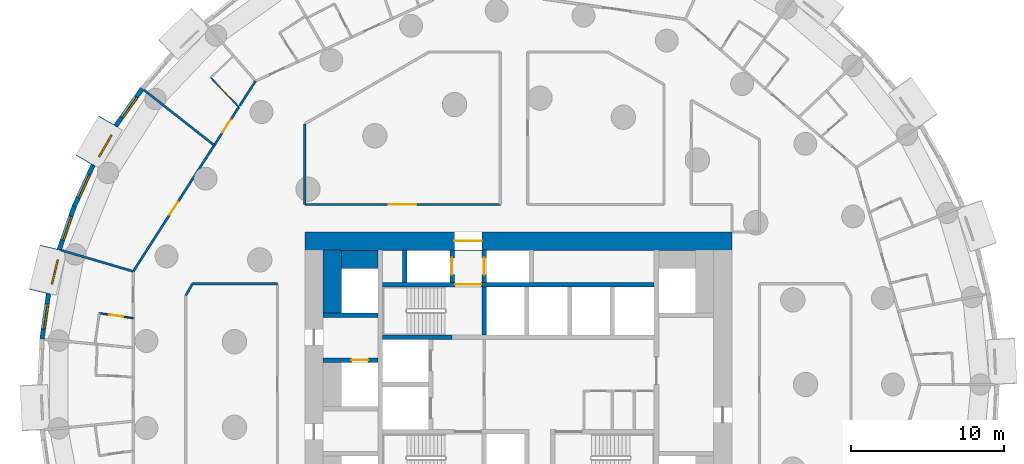
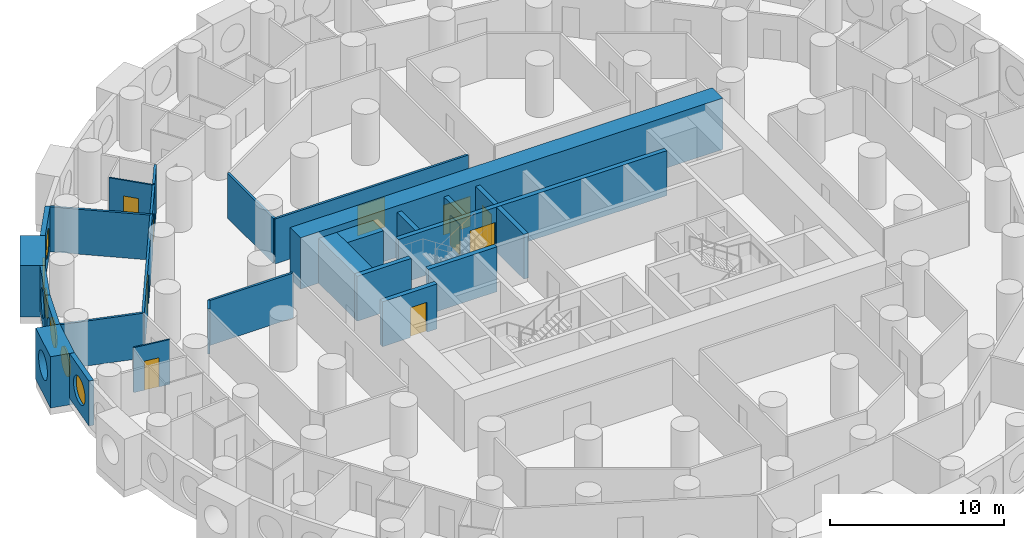
# One storey, part 7 of 12: 27 walls, 10 doors, 6 windows, 16 openings.
"""IFC4 building model written with IfcOpenShell, lengths in metres."""

from ifc_helpers import new_model, si_unit, direction, frame, frame_2d, origin, origin_2d, place, context, subcontext, project, spatial, rectangle, circle, extrude, material, layer, layer_set, type_object, element, fill, save


model = new_model("IFC4")

# Units and contexts
model_context = context("Model", 3, precision=1e-05, world=origin(), true_north=direction((0.0, 1.0)))
body_context = subcontext(model_context, "Body", "Model", "MODEL_VIEW")
ifc_project = project(units=[si_unit("LENGTHUNIT", "METRE"), si_unit("AREAUNIT", "SQUARE_METRE"), si_unit("VOLUMEUNIT", "CUBIC_METRE"), si_unit("PLANEANGLEUNIT", "RADIAN"), si_unit("MASSUNIT", "GRAM", prefix="KILO")], contexts=[model_context])

# Site, building, storey
site_placement = place(None, origin())
site = spatial("IfcSite", under=ifc_project, at=site_placement, CompositionType="ELEMENT")
building_placement = place(site_placement, origin())
building = spatial("IfcBuilding", under=site, at=building_placement, Name="Tracery Tower", CompositionType="ELEMENT")
storey_placement = place(building_placement, frame((0.0, 0.0, 28.199951171875)))
storey = spatial("IfcBuildingStorey", under=building, at=storey_placement, Name="L05", CompositionType="ELEMENT", Elevation=28.199951171875)

# Walls
ifc_material_1 = material(Name="Concrete C60/75", Category="concrete")
ifc_layer_1 = layer(ifc_material_1, 1.199951171875)
ifc_layer_set_1 = layer_set([ifc_layer_1], Name="Core strip wall 1200 C60")
wall_type_1 = type_object("IfcWallType", Name="Core strip wall 1200 C60", PredefinedType="SOLIDWALL", material=ifc_layer_set_1)
wall_1_placement = place(storey_placement, frame((-12.199951171875, 4.699951171875, 0.0), z_axis=(0.0, 0.0, 1.0), x_axis=(0.0, 1.0, 0.0)))
element("IfcWall", 1, at=wall_1_placement, inside=storey, type_object=wall_type_1, Name="L05 wing strip -1 4.55", PredefinedType="SOLIDWALL", context=body_context, shape_type="SweptSolid", body=[
    extrude(rectangle(XDim=4.10009765625, YDim=1.199951171875, at=frame_2d((2.050048828125, 0.0))), origin(), (0.0, 0.0, 1.0), 3.150146484375),
])
wall_2_placement = place(storey_placement, frame((-11.60009765625, 8.199951171875, 0.0), z_axis=(0.0, 0.0, 1.0), x_axis=(1.0, 0.0, 0.0)))
element("IfcWall", 2, at=wall_2_placement, inside=storey, type_object=wall_type_1, Name="L05 wing corner -1 +8.2", PredefinedType="SOLIDWALL", context=body_context, shape_type="SweptSolid", body=[
    extrude(rectangle(XDim=2.400146484375, YDim=1.199951171875, at=frame_2d((1.2001953125, 0.0))), origin(), (0.0, 0.0, 1.0), 3.150146484375),
])

# Wall, opening, door
ifc_material_2 = material(Name="Concrete C60/75", Category="concrete")
ifc_layer_2 = layer(ifc_material_2, 1.199951171875)
ifc_layer_set_2 = layer_set([ifc_layer_2], Name="Core wall 1200 C60")
wall_type_2 = type_object("IfcWallType", Name="Core wall 1200 C60", PredefinedType="SOLIDWALL", material=ifc_layer_set_2)
wall_3_placement = place(storey_placement, frame((-14.0, 9.39990234375, 0.0), z_axis=(0.0, 0.0, 1.0), x_axis=(1.0, 0.0, 0.0)))
wall_3 = element("IfcWall", 3, at=wall_3_placement, inside=storey, type_object=wall_type_2, Name="L05 outer N", PredefinedType="SOLIDWALL", context=body_context, shape_type="SweptSolid", body=[
    extrude(rectangle(XDim=28.0, YDim=1.199951171875, at=frame_2d((14.0, 0.0))), origin(), (0.0, 0.0, 1.0), 3.60009765625),
])
opening_1_placement = place(wall_3_placement, frame((9.800048828125, 0.0, 0.0)))
opening_1 = element("IfcOpeningElement", 4, at=opening_1_placement, cuts=wall_3, Name="Opening KD13", PredefinedType="OPENING", context=body_context, shape_type="SweptSolid", body=[
    extrude(rectangle(XDim=1.800048828125, YDim=2.10009765625, at=frame_2d((0.89990234375, 1.050048828125))), frame((0.0, 0.60009765625, 0.0), z_axis=(0.0, -1.0, 0.0), x_axis=(1.0, 0.0, 0.0)), (0.0, 0.0, 1.0), 1.199951171875),
])
ifc_material_3 = material(Name="Steel fire door", Category="steel")
door_type_1 = type_object("IfcDoorType", Name="Core exit door 1800 double", OperationType="NOTDEFINED", PredefinedType="DOOR", material=ifc_material_3)
door_1_placement = place(opening_1_placement, origin())
door_1 = element("IfcDoor", 5, at=door_1_placement, inside=storey, type_object=door_type_1, Name="Core exit door", OperationType="DOUBLE_DOOR_SINGLE_SWING", OverallHeight=2.10009765625, OverallWidth=1.800048828125, PredefinedType="DOOR", context=body_context, shape_type="SweptSolid", body=[
    extrude(rectangle(XDim=1.800048828125, YDim=2.10009765625, at=frame_2d((0.89990234375, 1.050048828125))), frame((0.0, 0.02490234375, 0.0), z_axis=(0.0, -1.0, 0.0), x_axis=(1.0, 0.0, 0.0)), (0.0, 0.0, 1.0), 0.050048828125),
])
fill(opening_1, door_1)

# Wall, opening, window
ifc_material_4 = material(Name="Precast concrete C50/60", Category="concrete")
ifc_layer_3 = layer(ifc_material_4, 1.449951171875)
ifc_layer_set_3 = layer_set([ifc_layer_3], Name="Deep-set bay unit 3000 x 3600, slab edge 450")
wall_type_3 = type_object("IfcWallType", Name="Deep-set bay unit 3000 x 3600, slab edge 450", PredefinedType="ELEMENTEDWALL", material=ifc_layer_set_3)
wall_4_placement = place(storey_placement, frame((-26.88818359375, 17.256103515625, -0.449951171875), z_axis=(0.0, 0.0, 1.0), x_axis=(-0.499990139034, -0.866031096941, 0.0)))
wall_4 = element("IfcWall", 6, at=wall_4_placement, inside=storey, type_object=wall_type_3, Name="Deep-set bay unit 28 at L05", PredefinedType="ELEMENTEDWALL", context=body_context, shape_type="SweptSolid", body=[
    extrude(rectangle(XDim=3.0, YDim=1.449951171875, at=frame_2d((1.5, 0.0))), origin(), (0.0, 0.0, 1.0), 3.60009765625),
])
opening_2_placement = place(wall_4_placement, frame((1.5, 0.0, 2.0)))
opening_2 = element("IfcOpeningElement", 7, at=opening_2_placement, cuts=wall_4, Name="Opening WN1", PredefinedType="OPENING", context=body_context, shape_type="SweptSolid", body=[
    extrude(circle(Radius=0.9000244140625, at=origin_2d()), frame((0.0, 0.73486328125, 0.0), z_axis=(0.0, -1.0, 0.0), x_axis=(1.0, 0.0, 0.0)), (0.0, 0.0, 1.0), 1.469970703125),
])
ifc_material_5 = material(Name="Aluminium frame with tinted double glazing", Category="aluminium")
window_type = type_object("IfcWindowType", Name="Round window 1800", PartitioningType="SINGLE_PANEL", PredefinedType="WINDOW", material=ifc_material_5)
window_1_placement = place(opening_2_placement, origin())
window_1 = element("IfcWindow", 8, at=window_1_placement, inside=storey, type_object=window_type, Name="Round window 28 at L05", OverallHeight=1.800048828125, OverallWidth=1.800048828125, PartitioningType="SINGLE_PANEL", PredefinedType="WINDOW", context=body_context, shape_type="SweptSolid", body=[
    extrude(circle(Radius=0.9000244140625, at=origin_2d()), frame((0.0, 0.69482421875, 0.0), z_axis=(0.0, -1.0, 0.0), x_axis=(1.0, 0.0, 0.0)), (0.0, 0.0, 1.0), 0.10009765625),
])
fill(opening_2, window_1)

wall_5_placement = place(storey_placement, frame((-30.66064453125, 8.981689453125, -0.449951171875), z_axis=(0.0, 0.0, 1.0), x_axis=(-0.235751415068, -0.971813392732, 0.0)))
wall_5 = element("IfcWall", 9, at=wall_5_placement, inside=storey, type_object=wall_type_3, Name="Deep-set bay unit 31 at L05", PredefinedType="ELEMENTEDWALL", context=body_context, shape_type="SweptSolid", body=[
    extrude(rectangle(XDim=3.0, YDim=1.449951171875, at=frame_2d((1.5, 0.0))), origin(), (0.0, 0.0, 1.0), 3.60009765625),
])
opening_3_placement = place(wall_5_placement, frame((1.5, 0.0, 2.0)))
opening_3 = element("IfcOpeningElement", 10, at=opening_3_placement, cuts=wall_5, Name="Opening WN1", PredefinedType="OPENING", context=body_context, shape_type="SweptSolid", body=[
    extrude(circle(Radius=0.9000244140625, at=origin_2d()), frame((0.0, 0.73486328125, 0.0), z_axis=(0.0, -1.0, 0.0), x_axis=(1.0, 0.0, 0.0)), (0.0, 0.0, 1.0), 1.469970703125),
])
window_2_placement = place(opening_3_placement, origin())
window_2 = element("IfcWindow", 11, at=window_2_placement, inside=storey, type_object=window_type, Name="Round window 31 at L05", OverallHeight=1.800048828125, OverallWidth=1.800048828125, PartitioningType="SINGLE_PANEL", PredefinedType="WINDOW", context=body_context, shape_type="SweptSolid", body=[
    extrude(circle(Radius=0.9000244140625, at=origin_2d()), frame((0.0, 0.69482421875, 0.0), z_axis=(0.0, -1.0, 0.0), x_axis=(1.0, 0.0, 0.0)), (0.0, 0.0, 1.0), 0.10009765625),
])
fill(opening_3, window_2)

ifc_material_6 = material(Name="Precast concrete C50/60", Category="concrete")
ifc_layer_4 = layer(ifc_material_6, 0.300048828125)
ifc_layer_set_4 = layer_set([ifc_layer_4], Name="Facade panel 3000 x 3150")
wall_type_4 = type_object("IfcWallType", Name="Facade panel 3000 x 3150", PredefinedType="SOLIDWALL", material=ifc_layer_set_4)
wall_6_placement = place(storey_placement, frame((-24.661865234375, 19.394287109375, 0.0), z_axis=(0.0, 0.0, 1.0), x_axis=(-0.580113774115, -0.814535456, 0.0)))
wall_6 = element("IfcWall", 12, at=wall_6_placement, inside=storey, type_object=wall_type_4, Name="Facade panel 27 at L05", PredefinedType="SOLIDWALL", context=body_context, shape_type="SweptSolid", body=[
    extrude(rectangle(XDim=2.979736328125, YDim=0.300048828125, at=frame_2d((1.48974609375, 0.0))), origin(), (0.0, 0.0, 1.0), 3.150146484375),
])
opening_4_placement = place(wall_6_placement, frame((1.48974609375, 0.0, 1.5498046875)))
opening_4 = element("IfcOpeningElement", 13, at=opening_4_placement, cuts=wall_6, Name="Opening WN1", PredefinedType="OPENING", context=body_context, shape_type="SweptSolid", body=[
    extrude(circle(Radius=0.9000244140625, at=origin_2d()), frame((0.0, 0.159912109375, 0.0), z_axis=(0.0, -1.0, 0.0), x_axis=(1.0, 0.0, 0.0)), (0.0, 0.0, 1.0), 0.320068359375),
])
window_3_placement = place(opening_4_placement, origin())
window_3 = element("IfcWindow", 14, at=window_3_placement, inside=storey, type_object=window_type, Name="Round window 27 at L05", OverallHeight=1.800048828125, OverallWidth=1.800048828125, PartitioningType="SINGLE_PANEL", PredefinedType="WINDOW", context=body_context, shape_type="SweptSolid", body=[
    extrude(circle(Radius=0.9000244140625, at=origin_2d()), frame((0.0, 0.1201171875, 0.0), z_axis=(0.0, -1.0, 0.0), x_axis=(1.0, 0.0, 0.0)), (0.0, 0.0, 1.0), 0.10009765625),
])
fill(opening_4, window_3)

wall_7_placement = place(storey_placement, frame((-27.88916015625, 14.37109375, 0.0), z_axis=(0.0, 0.0, 1.0), x_axis=(-0.415407317162, -0.909635509888, 0.0)))
wall_7 = element("IfcWall", 15, at=wall_7_placement, inside=storey, type_object=wall_type_4, Name="Facade panel 29 at L05", PredefinedType="SOLIDWALL", context=body_context, shape_type="SweptSolid", body=[
    extrude(rectangle(XDim=2.979736328125, YDim=0.300048828125, at=frame_2d((1.48974609375, 0.0))), origin(), (0.0, 0.0, 1.0), 3.150146484375),
])
opening_5_placement = place(wall_7_placement, frame((1.48974609375, 0.0, 1.5498046875)))
opening_5 = element("IfcOpeningElement", 16, at=opening_5_placement, cuts=wall_7, Name="Opening WN1", PredefinedType="OPENING", context=body_context, shape_type="SweptSolid", body=[
    extrude(circle(Radius=0.9000244140625, at=origin_2d()), frame((0.0, 0.159912109375, 0.0), z_axis=(0.0, -1.0, 0.0), x_axis=(1.0, 0.0, 0.0)), (0.0, 0.0, 1.0), 0.320068359375),
])
window_4_placement = place(opening_5_placement, origin())
window_4 = element("IfcWindow", 17, at=window_4_placement, inside=storey, type_object=window_type, Name="Round window 29 at L05", OverallHeight=1.800048828125, OverallWidth=1.800048828125, PartitioningType="SINGLE_PANEL", PredefinedType="WINDOW", context=body_context, shape_type="SweptSolid", body=[
    extrude(circle(Radius=0.9000244140625, at=origin_2d()), frame((0.0, 0.1201171875, 0.0), z_axis=(0.0, -1.0, 0.0), x_axis=(1.0, 0.0, 0.0)), (0.0, 0.0, 1.0), 0.10009765625),
])
fill(opening_5, window_4)

wall_8_placement = place(storey_placement, frame((-29.126953125, 11.66064453125, 0.0), z_axis=(0.0, 0.0, 1.0), x_axis=(-0.327096492592, -0.944990944154, 0.0)))
wall_8 = element("IfcWall", 18, at=wall_8_placement, inside=storey, type_object=wall_type_4, Name="Facade panel 30 at L05", PredefinedType="SOLIDWALL", context=body_context, shape_type="SweptSolid", body=[
    extrude(rectangle(XDim=2.9794921875, YDim=0.300048828125, at=frame_2d((1.48974609375, 0.0))), origin(), (0.0, 0.0, 1.0), 3.150146484375),
])
opening_6_placement = place(wall_8_placement, frame((1.48974609375, 0.0, 1.5498046875)))
opening_6 = element("IfcOpeningElement", 19, at=opening_6_placement, cuts=wall_8, Name="Opening WN1", PredefinedType="OPENING", context=body_context, shape_type="SweptSolid", body=[
    extrude(circle(Radius=0.9000244140625, at=origin_2d()), frame((0.0, 0.159912109375, 0.0), z_axis=(0.0, -1.0, 0.0), x_axis=(1.0, 0.0, 0.0)), (0.0, 0.0, 1.0), 0.320068359375),
])
window_5_placement = place(opening_6_placement, origin())
window_5 = element("IfcWindow", 20, at=window_5_placement, inside=storey, type_object=window_type, Name="Round window 30 at L05", OverallHeight=1.800048828125, OverallWidth=1.800048828125, PartitioningType="SINGLE_PANEL", PredefinedType="WINDOW", context=body_context, shape_type="SweptSolid", body=[
    extrude(circle(Radius=0.9000244140625, at=origin_2d()), frame((0.0, 0.1201171875, 0.0), z_axis=(0.0, -1.0, 0.0), x_axis=(1.0, 0.0, 0.0)), (0.0, 0.0, 1.0), 0.10009765625),
])
fill(opening_6, window_5)

wall_9_placement = place(storey_placement, frame((-30.808349609375, 5.931640625, 0.0), z_axis=(0.0, 0.0, 1.0), x_axis=(-0.142327539111, -0.989819615693, 0.0)))
wall_9 = element("IfcWall", 21, at=wall_9_placement, inside=storey, type_object=wall_type_4, Name="Facade panel 32 at L05", PredefinedType="SOLIDWALL", context=body_context, shape_type="SweptSolid", body=[
    extrude(rectangle(XDim=2.9794921875, YDim=0.300048828125, at=frame_2d((1.48974609375, 0.0))), origin(), (0.0, 0.0, 1.0), 3.150146484375),
])
opening_7_placement = place(wall_9_placement, frame((1.48974609375, 0.0, 1.5498046875)))
opening_7 = element("IfcOpeningElement", 22, at=opening_7_placement, cuts=wall_9, Name="Opening WN1", PredefinedType="OPENING", context=body_context, shape_type="SweptSolid", body=[
    extrude(circle(Radius=0.9000244140625, at=origin_2d()), frame((0.0, 0.159912109375, 0.0), z_axis=(0.0, -1.0, 0.0), x_axis=(1.0, 0.0, 0.0)), (0.0, 0.0, 1.0), 0.320068359375),
])
window_6_placement = place(opening_7_placement, origin())
window_6 = element("IfcWindow", 23, at=window_6_placement, inside=storey, type_object=window_type, Name="Round window 32 at L05", OverallHeight=1.800048828125, OverallWidth=1.800048828125, PartitioningType="SINGLE_PANEL", PredefinedType="WINDOW", context=body_context, shape_type="SweptSolid", body=[
    extrude(circle(Radius=0.9000244140625, at=origin_2d()), frame((0.0, 0.1201171875, 0.0), z_axis=(0.0, -1.0, 0.0), x_axis=(1.0, 0.0, 0.0)), (0.0, 0.0, 1.0), 0.10009765625),
])
fill(opening_7, window_6)

# Wall, opening, door
ifc_material_7 = material(Name="Plasterboard on steel studs", Category="steel")
ifc_layer_5 = layer(ifc_material_7, 0.10009765625)
ifc_layer_set_5 = layer_set([ifc_layer_5], Name="Partition 100 wet wall")
wall_type_5 = type_object("IfcWallType", Name="Partition 100 wet wall", PredefinedType="PARTITIONING", material=ifc_layer_set_5)
wall_10_placement = place(storey_placement, frame((-20.1689453125, 20.117919921875, 0.0), z_axis=(0.0, 0.0, 1.0), x_axis=(0.690011756227, -0.723798159896, 0.0)))
wall_10 = element("IfcWall", 24, at=wall_10_placement, inside=storey, type_object=wall_type_5, Name="Wet wall RA1-091", PredefinedType="PARTITIONING", context=body_context, shape_type="SweptSolid", body=[
    extrude(rectangle(XDim=2.66650390625, YDim=0.10009765625, at=frame_2d((1.333251953125, 0.0))), origin(), (0.0, 0.0, 1.0), 3.150146484375),
])
opening_8_placement = place(wall_10_placement, frame((0.883056640625, 0.0, 0.0)))
opening_8 = element("IfcOpeningElement", 25, at=opening_8_placement, cuts=wall_10, Name="Opening RA1-30", PredefinedType="OPENING", context=body_context, shape_type="SweptSolid", body=[
    extrude(rectangle(XDim=0.89990234375, YDim=2.0400390625, at=frame_2d((0.449951171875, 1.02001953125))), frame((0.0, 0.050048828125, 0.0), z_axis=(0.0, -1.0, 0.0), x_axis=(1.0, 0.0, 0.0)), (0.0, 0.0, 1.0), 0.10009765625),
])
ifc_material_8 = material(Name="Timber door leaf", Category="wood")
door_type_2 = type_object("IfcDoorType", Name="Door en-suite 900", OperationType="NOTDEFINED", PredefinedType="DOOR", material=ifc_material_8)
door_2_placement = place(opening_8_placement, origin())
door_2 = element("IfcDoor", 26, at=door_2_placement, inside=storey, type_object=door_type_2, Name="En-suite door RA1-30", OperationType="SINGLE_SWING_LEFT", OverallHeight=2.0400390625, OverallWidth=0.89990234375, PredefinedType="DOOR", context=body_context, shape_type="SweptSolid", body=[
    extrude(rectangle(XDim=0.89990234375, YDim=2.0400390625, at=frame_2d((0.449951171875, 1.02001953125))), frame((0.0, 0.02490234375, 0.0), z_axis=(0.0, -1.0, 0.0), x_axis=(1.0, 0.0, 0.0)), (0.0, 0.0, 1.0), 0.050048828125),
])
fill(opening_8, door_2)

wall_11_placement = place(storey_placement, frame((-27.471923828125, 4.6708984375, 0.0), z_axis=(0.0, 0.0, 1.0), x_axis=(0.989833725002, -0.142229381104, 0.0)))
wall_11 = element("IfcWall", 27, at=wall_11_placement, inside=storey, type_object=wall_type_5, Name="Wet wall RA1-094", PredefinedType="PARTITIONING", context=body_context, shape_type="SweptSolid", body=[
    extrude(rectangle(XDim=2.24169921875, YDim=0.10009765625, at=frame_2d((1.120849609375, 0.0))), origin(), (0.0, 0.0, 1.0), 3.150146484375),
])
opening_9_placement = place(wall_11_placement, frame((0.6708984375, 0.0, 0.0)))
opening_9 = element("IfcOpeningElement", 28, at=opening_9_placement, cuts=wall_11, Name="Opening RA1-33", PredefinedType="OPENING", context=body_context, shape_type="SweptSolid", body=[
    extrude(rectangle(XDim=0.89990234375, YDim=2.0400390625, at=frame_2d((0.449951171875, 1.02001953125))), frame((0.0, 0.050048828125, 0.0), z_axis=(0.0, -1.0, 0.0), x_axis=(1.0, 0.0, 0.0)), (0.0, 0.0, 1.0), 0.10009765625),
])
door_3_placement = place(opening_9_placement, origin())
door_3 = element("IfcDoor", 29, at=door_3_placement, inside=storey, type_object=door_type_2, Name="En-suite door RA1-33", OperationType="SINGLE_SWING_RIGHT", OverallHeight=2.0400390625, OverallWidth=0.89990234375, PredefinedType="DOOR", context=body_context, shape_type="SweptSolid", body=[
    extrude(rectangle(XDim=0.89990234375, YDim=2.0400390625, at=frame_2d((0.449951171875, 1.02001953125))), frame((0.0, 0.02490234375, 0.0), z_axis=(0.0, -1.0, 0.0), x_axis=(1.0, 0.0, 0.0)), (0.0, 0.0, 1.0), 0.050048828125),
])
fill(opening_9, door_3)

# Walls
ifc_material_9 = material(Name="Plasterboard on steel studs", Category="steel")
ifc_layer_6 = layer(ifc_material_9, 0.14990234375)
ifc_layer_set_6 = layer_set([ifc_layer_6], Name="Partition 150 acoustic unit wall")
wall_type_6 = type_object("IfcWallType", Name="Partition 150 acoustic unit wall", PredefinedType="PARTITIONING", material=ifc_layer_set_6)
wall_12_placement = place(storey_placement, frame((-24.5439453125, 19.302001953125, 0.0), z_axis=(0.0, 0.0, 1.0), x_axis=(0.786014513829, -0.618208042693, 0.0)))
element("IfcWall", 30, at=wall_12_placement, inside=storey, type_object=wall_type_6, Name="Unit wall RA1-092", PredefinedType="PARTITIONING", context=body_context, shape_type="SweptSolid", body=[
    extrude(rectangle(XDim=5.857421875, YDim=0.14990234375, at=frame_2d((2.9287109375, 0.0))), origin(), (0.0, 0.0, 1.0), 3.150146484375),
])
wall_13_placement = place(storey_placement, frame((-29.958984375, 8.797119140625, 0.0), z_axis=(0.0, 0.0, 1.0), x_axis=(0.959478767209, -0.281780934902, 0.0)))
element("IfcWall", 31, at=wall_13_placement, inside=storey, type_object=wall_type_6, Name="Unit wall RA1-093", PredefinedType="PARTITIONING", context=body_context, shape_type="SweptSolid", body=[
    extrude(rectangle(XDim=4.90478515625, YDim=0.14990234375, at=frame_2d((2.452392578125, 0.0))), origin(), (0.0, 0.0, 1.0), 3.150146484375),
])

# Wall, opening, door
ifc_material_10 = material(Name="Plasterboard on steel studs", Category="steel")
ifc_layer_7 = layer(ifc_material_10, 0.14990234375)
ifc_layer_set_7 = layer_set([ifc_layer_7], Name="Partition 150 corridor wall")
wall_type_7 = type_object("IfcWallType", Name="Partition 150 corridor wall", PredefinedType="PARTITIONING", material=ifc_layer_set_7)
wall_14_placement = place(storey_placement, frame((-14.00390625, 11.800048828125, 0.0), z_axis=(0.0, 0.0, 1.0), x_axis=(1.0, 0.0, 0.0)))
wall_14 = element("IfcWall", 32, at=wall_14_placement, inside=storey, type_object=wall_type_7, Name="Corridor wall RA1-001", PredefinedType="PARTITIONING", context=body_context, shape_type="SweptSolid", body=[
    extrude(rectangle(XDim=12.81591796875, YDim=0.14990234375, at=frame_2d((6.407958984375, 0.0))), origin(), (0.0, 0.0, 1.0), 3.150146484375),
])
opening_10_placement = place(wall_14_placement, frame((5.508056640625, 0.0, 0.0)))
opening_10 = element("IfcOpeningElement", 33, at=opening_10_placement, cuts=wall_14, Name="Opening RA1-01", PredefinedType="OPENING", context=body_context, shape_type="SweptSolid", body=[
    extrude(rectangle(XDim=1.800048828125, YDim=2.10009765625, at=frame_2d((0.89990234375, 1.050048828125))), frame((0.0, 0.074951171875, 0.0), z_axis=(0.0, -1.0, 0.0), x_axis=(1.0, 0.0, 0.0)), (0.0, 0.0, 1.0), 0.14990234375),
])
ifc_material_11 = material(Name="Timber door leaf", Category="wood")
door_type_3 = type_object("IfcDoorType", Name="Door double lounge 1800", OperationType="NOTDEFINED", PredefinedType="DOOR", material=ifc_material_11)
door_4_placement = place(opening_10_placement, origin())
door_4 = element("IfcDoor", 34, at=door_4_placement, inside=storey, type_object=door_type_3, Name="Double lounge door RA1-01", OperationType="DOUBLE_DOOR_SINGLE_SWING", OverallHeight=2.10009765625, OverallWidth=1.800048828125, PredefinedType="DOOR", context=body_context, shape_type="SweptSolid", body=[
    extrude(rectangle(XDim=1.800048828125, YDim=2.10009765625, at=frame_2d((0.89990234375, 1.050048828125))), frame((0.0, 0.02490234375, 0.0), z_axis=(0.0, -1.0, 0.0), x_axis=(1.0, 0.0, 0.0)), (0.0, 0.0, 1.0), 0.050048828125),
])
fill(opening_10, door_4)

# Walls
wall_15_placement = place(storey_placement, frame((-14.0, 11.800048828125, 0.0), z_axis=(0.0, 0.0, 1.0), x_axis=(0.0, 1.0, 0.0)))
element("IfcWall", 35, at=wall_15_placement, inside=storey, type_object=wall_type_7, Name="Corridor wall RA1-027", PredefinedType="PARTITIONING", context=body_context, shape_type="SweptSolid", body=[
    extrude(rectangle(XDim=5.2919921875, YDim=0.14990234375, at=frame_2d((2.64599609375, 0.0))), origin(), (0.0, 0.0, 1.0), 3.150146484375),
])
wall_16_placement = place(storey_placement, frame((-18.27392578125, 18.27392578125, 0.0), z_axis=(0.0, 0.0, 1.0), x_axis=(0.540751168176, 0.841182604502, 0.0)))
element("IfcWall", 36, at=wall_16_placement, inside=storey, type_object=wall_type_7, Name="Corridor wall RA1-036", PredefinedType="PARTITIONING", context=body_context, shape_type="SweptSolid", body=[
    extrude(rectangle(XDim=1.921142578125, YDim=0.14990234375, at=frame_2d((0.96044921875, 0.0))), origin(), (0.0, 0.0, 1.0), 3.150146484375),
])
wall_17_placement = place(storey_placement, frame((-21.364013671875, 6.60009765625, 0.0), z_axis=(0.0, 0.0, 1.0), x_axis=(1.0, 0.0, 0.0)))
element("IfcWall", 37, at=wall_17_placement, inside=storey, type_object=wall_type_7, Name="Corridor wall RA1-038", PredefinedType="PARTITIONING", context=body_context, shape_type="SweptSolid", body=[
    extrude(rectangle(XDim=5.56396484375, YDim=0.14990234375, at=frame_2d((2.781982421875, 0.0))), origin(), (0.0, 0.0, 1.0), 3.150146484375),
])
wall_18_placement = place(storey_placement, frame((-21.802001953125, 5.842041015625, 0.0), z_axis=(0.0, 0.0, 1.0), x_axis=(0.500277597875, 0.865865073245, 0.0)))
element("IfcWall", 38, at=wall_18_placement, inside=storey, type_object=wall_type_7, Name="Corridor wall RA1-039", PredefinedType="PARTITIONING", context=body_context, shape_type="SweptSolid", body=[
    extrude(rectangle(XDim=0.87548828125, YDim=0.14990234375, at=frame_2d((0.437744140625, 0.0))), origin(), (0.0, 0.0, 1.0), 3.150146484375),
])

# Wall, openings, doors
wall_19_placement = place(storey_placement, frame((-25.2509765625, 7.413818359375, 0.0), z_axis=(0.0, 0.0, 1.0), x_axis=(0.540498462047, 0.84134500208, 0.0)))
wall_19 = element("IfcWall", 39, at=wall_19_placement, inside=storey, type_object=wall_type_7, Name="Corridor wall RA1-043", PredefinedType="PARTITIONING", context=body_context, shape_type="SweptSolid", body=[
    extrude(rectangle(XDim=12.810546875, YDim=0.14990234375, at=frame_2d((6.4052734375, 0.0))), origin(), (0.0, 0.0, 1.0), 3.150146484375),
])
opening_11_placement = place(wall_19_placement, frame((10.816650390625, 0.0, 0.0)))
opening_11 = element("IfcOpeningElement", 40, at=opening_11_placement, cuts=wall_19, Name="Opening RA1-31", PredefinedType="OPENING", context=body_context, shape_type="SweptSolid", body=[
    extrude(rectangle(XDim=1.0, YDim=2.10009765625, at=frame_2d((0.5, 1.050048828125))), frame((0.0, 0.074951171875, 0.0), z_axis=(0.0, -1.0, 0.0), x_axis=(1.0, 0.0, 0.0)), (0.0, 0.0, 1.0), 0.14990234375),
])
opening_12_placement = place(wall_19_placement, frame((4.4150390625, 0.0, 0.0)))
opening_12 = element("IfcOpeningElement", 41, at=opening_12_placement, cuts=wall_19, Name="Opening RA1-32", PredefinedType="OPENING", context=body_context, shape_type="SweptSolid", body=[
    extrude(rectangle(XDim=1.0, YDim=2.0400390625, at=frame_2d((0.5, 1.02001953125))), frame((0.0, 0.074951171875, 0.0), z_axis=(0.0, -1.0, 0.0), x_axis=(1.0, 0.0, 0.0)), (0.0, 0.0, 1.0), 0.14990234375),
])
ifc_material_12 = material(Name="Timber door leaf", Category="wood")
door_type_4 = type_object("IfcDoorType", Name="Door communal room 1000", OperationType="NOTDEFINED", PredefinedType="DOOR", material=ifc_material_12)
door_5_placement = place(opening_12_placement, origin())
door_5 = element("IfcDoor", 42, at=door_5_placement, inside=storey, type_object=door_type_4, Name="Communal room door RA1-32", OperationType="SINGLE_SWING_RIGHT", OverallHeight=2.0400390625, OverallWidth=1.0, PredefinedType="DOOR", context=body_context, shape_type="SweptSolid", body=[
    extrude(rectangle(XDim=1.0, YDim=2.0400390625, at=frame_2d((0.5, 1.02001953125))), frame((0.0, 0.02490234375, 0.0), z_axis=(0.0, -1.0, 0.0), x_axis=(1.0, 0.0, 0.0)), (0.0, 0.0, 1.0), 0.050048828125),
])
fill(opening_12, door_5)
ifc_material_13 = material(Name="Timber door leaf", Category="wood")
door_type_5 = type_object("IfcDoorType", Name="Door unit entrance 1000", OperationType="NOTDEFINED", PredefinedType="DOOR", material=ifc_material_13)
door_6_placement = place(opening_11_placement, origin())
door_6 = element("IfcDoor", 43, at=door_6_placement, inside=storey, type_object=door_type_5, Name="Unit entrance door RA1-31", OperationType="SINGLE_SWING_LEFT", OverallHeight=2.10009765625, OverallWidth=1.0, PredefinedType="DOOR", context=body_context, shape_type="SweptSolid", body=[
    extrude(rectangle(XDim=1.0, YDim=2.10009765625, at=frame_2d((0.5, 1.050048828125))), frame((0.0, 0.02490234375, 0.0), z_axis=(0.0, -1.0, 0.0), x_axis=(1.0, 0.0, 0.0)), (0.0, 0.0, 1.0), 0.050048828125),
])
fill(opening_11, door_6)

# Wall
ifc_material_14 = material(Name="Concrete C60/75", Category="concrete")
ifc_layer_8 = layer(ifc_material_14, 0.300048828125)
ifc_layer_set_8 = layer_set([ifc_layer_8], Name="Shaft wall 300 C60")
wall_type_8 = type_object("IfcWallType", Name="Shaft wall 300 C60", PredefinedType="SOLIDWALL", material=ifc_layer_set_8)
wall_20_placement = place(storey_placement, frame((-7.449951171875, 6.699951171875, 0.0), z_axis=(0.0, 0.0, 1.0), x_axis=(0.0, 1.0, 0.0)))
element("IfcWall", 44, at=wall_20_placement, inside=storey, type_object=wall_type_8, Name="L05 LR sep -7.45", PredefinedType="SOLIDWALL", context=body_context, shape_type="SweptSolid", body=[
    extrude(rectangle(XDim=2.10009765625, YDim=0.300048828125, at=frame_2d((1.050048828125, 0.0))), origin(), (0.0, 0.0, 1.0), 3.150146484375),
])

# Wall, opening, door
wall_21_placement = place(storey_placement, frame((-4.35009765625, 6.699951171875, 0.0), z_axis=(0.0, 0.0, 1.0), x_axis=(0.0, 1.0, 0.0)))
wall_21 = element("IfcWall", 45, at=wall_21_placement, inside=storey, type_object=wall_type_8, Name="L05 LR sep -4.35", PredefinedType="SOLIDWALL", context=body_context, shape_type="SweptSolid", body=[
    extrude(rectangle(XDim=2.10009765625, YDim=0.300048828125, at=frame_2d((1.050048828125, 0.0))), origin(), (0.0, 0.0, 1.0), 3.150146484375),
])
opening_13_placement = place(wall_21_placement, frame((0.5, 0.0, 0.0)))
opening_13 = element("IfcOpeningElement", 46, at=opening_13_placement, cuts=wall_21, Name="Opening KD50", PredefinedType="OPENING", context=body_context, shape_type="SweptSolid", body=[
    extrude(rectangle(XDim=1.10009765625, YDim=2.10009765625, at=frame_2d((0.550048828125, 1.050048828125))), frame((0.0, 0.14990234375, 0.0), z_axis=(0.0, -1.0, 0.0), x_axis=(1.0, 0.0, 0.0)), (0.0, 0.0, 1.0), 0.300048828125),
])
ifc_material_15 = material(Name="Steel fire door", Category="steel")
door_type_6 = type_object("IfcDoorType", Name="Landing door 1100", OperationType="NOTDEFINED", PredefinedType="DOOR", material=ifc_material_15)
door_7_placement = place(opening_13_placement, origin())
door_7 = element("IfcDoor", 47, at=door_7_placement, inside=storey, type_object=door_type_6, Name="Landing door LR3", OperationType="SLIDING_TO_RIGHT", OverallHeight=2.10009765625, OverallWidth=1.10009765625, PredefinedType="DOOR", context=body_context, shape_type="SweptSolid", body=[
    extrude(rectangle(XDim=1.10009765625, YDim=2.10009765625, at=frame_2d((0.550048828125, 1.050048828125))), frame((0.0, 0.02490234375, 0.0), z_axis=(0.0, -1.0, 0.0), x_axis=(1.0, 0.0, 0.0)), (0.0, 0.0, 1.0), 0.050048828125),
])
fill(opening_13, door_7)

# Wall
wall_22_placement = place(storey_placement, frame((-12.800048828125, 4.550048828125, 0.0), z_axis=(0.0, 0.0, 1.0), x_axis=(1.0, 0.0, 0.0)))
element("IfcWall", 48, at=wall_22_placement, inside=storey, type_object=wall_type_8, Name="L05 wing shaft wall -1 +4.55", PredefinedType="SOLIDWALL", context=body_context, shape_type="SweptSolid", body=[
    extrude(rectangle(XDim=3.60009765625, YDim=0.300048828125, at=frame_2d((1.800048828125, 0.0))), origin(), (0.0, 0.0, 1.0), 3.150146484375),
])

# Wall, opening, door
wall_23_placement = place(storey_placement, frame((-12.800048828125, 1.60009765625, 0.0), z_axis=(0.0, 0.0, 1.0), x_axis=(1.0, 0.0, 0.0)))
wall_23 = element("IfcWall", 49, at=wall_23_placement, inside=storey, type_object=wall_type_8, Name="L05 wing shaft wall -1 +1.60", PredefinedType="SOLIDWALL", context=body_context, shape_type="SweptSolid", body=[
    extrude(rectangle(XDim=3.60009765625, YDim=0.300048828125, at=frame_2d((1.800048828125, 0.0))), origin(), (0.0, 0.0, 1.0), 3.150146484375),
])
opening_14_placement = place(wall_23_placement, frame((1.85009765625, 0.0, 0.0)))
opening_14 = element("IfcOpeningElement", 50, at=opening_14_placement, cuts=wall_23, Name="Opening KD50", PredefinedType="OPENING", context=body_context, shape_type="SweptSolid", body=[
    extrude(rectangle(XDim=1.10009765625, YDim=2.10009765625, at=frame_2d((0.550048828125, 1.050048828125))), frame((0.0, 0.14990234375, 0.0), z_axis=(0.0, -1.0, 0.0), x_axis=(1.0, 0.0, 0.0)), (0.0, 0.0, 1.0), 0.300048828125),
])
door_8_placement = place(opening_14_placement, origin())
door_8 = element("IfcDoor", 51, at=door_8_placement, inside=storey, type_object=door_type_6, Name="Landing door LR1", OperationType="SLIDING_TO_RIGHT", OverallHeight=2.10009765625, OverallWidth=1.10009765625, PredefinedType="DOOR", context=body_context, shape_type="SweptSolid", body=[
    extrude(rectangle(XDim=1.10009765625, YDim=2.10009765625, at=frame_2d((0.550048828125, 1.050048828125))), frame((0.0, 0.02490234375, 0.0), z_axis=(0.0, -1.0, 0.0), x_axis=(1.0, 0.0, 0.0)), (0.0, 0.0, 1.0), 0.050048828125),
])
fill(opening_14, door_8)

# Walls
ifc_material_16 = material(Name="Concrete C60/75", Category="concrete")
ifc_layer_9 = layer(ifc_material_16, 0.300048828125)
ifc_layer_set_9 = layer_set([ifc_layer_9], Name="Stair wall 300 C60")
wall_type_9 = type_object("IfcWallType", Name="Stair wall 300 C60", PredefinedType="SOLIDWALL", material=ifc_layer_set_9)
wall_24_placement = place(storey_placement, frame((-8.89990234375, 3.10009765625, 0.0), z_axis=(0.0, 0.0, 1.0), x_axis=(1.0, 0.0, 0.0)))
element("IfcWall", 52, at=wall_24_placement, inside=storey, type_object=wall_type_9, Name="L05 row N W", PredefinedType="SOLIDWALL", context=body_context, shape_type="SweptSolid", body=[
    extrude(rectangle(XDim=4.5498046875, YDim=0.300048828125, at=frame_2d((2.27490234375, 0.0))), origin(), (0.0, 0.0, 1.0), 3.150146484375),
])
wall_25_placement = place(storey_placement, frame((-2.25, 3.25, 0.0), z_axis=(0.0, 0.0, 1.0), x_axis=(0.0, 1.0, 0.0)))
element("IfcWall", 53, at=wall_25_placement, inside=storey, type_object=wall_type_9, Name="L05 ST3 E", PredefinedType="SOLIDWALL", context=body_context, shape_type="SweptSolid", body=[
    extrude(rectangle(XDim=3.14990234375, YDim=0.300048828125, at=frame_2d((1.574951171875, 0.0))), origin(), (0.0, 0.0, 1.0), 3.150146484375),
])

# Wall, opening, door
wall_26_placement = place(storey_placement, frame((-8.89990234375, 6.550048828125, 0.0), z_axis=(0.0, 0.0, 1.0), x_axis=(1.0, 0.0, 0.0)))
wall_26 = element("IfcWall", 54, at=wall_26_placement, inside=storey, type_object=wall_type_9, Name="L05 F N", PredefinedType="SOLIDWALL", context=body_context, shape_type="SweptSolid", body=[
    extrude(rectangle(XDim=17.7998046875, YDim=0.300048828125, at=frame_2d((8.89990234375, 0.0))), origin(), (0.0, 0.0, 1.0), 3.150146484375),
])
opening_15_placement = place(wall_26_placement, frame((4.75, 0.0, 0.0)))
opening_15 = element("IfcOpeningElement", 55, at=opening_15_placement, cuts=wall_26, Name="Opening KD3", PredefinedType="OPENING", context=body_context, shape_type="SweptSolid", body=[
    extrude(rectangle(XDim=1.699951171875, YDim=2.10009765625, at=frame_2d((0.85009765625, 1.050048828125))), frame((0.0, 0.14990234375, 0.0), z_axis=(0.0, -1.0, 0.0), x_axis=(1.0, 0.0, 0.0)), (0.0, 0.0, 1.0), 0.300048828125),
])
ifc_material_17 = material(Name="Steel fire door", Category="steel")
door_type_7 = type_object("IfcDoorType", Name="Core stair door 1700 double", OperationType="NOTDEFINED", PredefinedType="DOOR", material=ifc_material_17)
door_9_placement = place(opening_15_placement, origin())
door_9 = element("IfcDoor", 56, at=door_9_placement, inside=storey, type_object=door_type_7, Name="Stair door ST3 N", OperationType="DOUBLE_DOOR_SINGLE_SWING", OverallHeight=2.10009765625, OverallWidth=1.699951171875, PredefinedType="DOOR", context=body_context, shape_type="SweptSolid", body=[
    extrude(rectangle(XDim=1.699951171875, YDim=2.10009765625, at=frame_2d((0.85009765625, 1.050048828125))), frame((0.0, 0.02490234375, 0.0), z_axis=(0.0, -1.0, 0.0), x_axis=(1.0, 0.0, 0.0)), (0.0, 0.0, 1.0), 0.050048828125),
])
fill(opening_15, door_9)

wall_27_placement = place(storey_placement, frame((-2.25, 6.699951171875, 0.0), z_axis=(0.0, 0.0, 1.0), x_axis=(0.0, 1.0, 0.0)))
wall_27 = element("IfcWall", 57, at=wall_27_placement, inside=storey, type_object=wall_type_9, Name="L05 ST3 E out", PredefinedType="SOLIDWALL", context=body_context, shape_type="SweptSolid", body=[
    extrude(rectangle(XDim=2.10009765625, YDim=0.300048828125, at=frame_2d((1.050048828125, 0.0))), origin(), (0.0, 0.0, 1.0), 3.150146484375),
])
opening_16_placement = place(wall_27_placement, frame((0.5, 0.0, 0.0)))
opening_16 = element("IfcOpeningElement", 58, at=opening_16_placement, cuts=wall_27, Name="Opening KD49", PredefinedType="OPENING", context=body_context, shape_type="SweptSolid", body=[
    extrude(rectangle(XDim=1.10009765625, YDim=2.10009765625, at=frame_2d((0.550048828125, 1.050048828125))), frame((0.0, 0.14990234375, 0.0), z_axis=(0.0, -1.0, 0.0), x_axis=(1.0, 0.0, 0.0)), (0.0, 0.0, 1.0), 0.300048828125),
])
door_10_placement = place(opening_16_placement, origin())
door_10 = element("IfcDoor", 59, at=door_10_placement, inside=storey, type_object=door_type_6, Name="Landing door LR2", OperationType="SLIDING_TO_LEFT", OverallHeight=2.10009765625, OverallWidth=1.10009765625, PredefinedType="DOOR", context=body_context, shape_type="SweptSolid", body=[
    extrude(rectangle(XDim=1.10009765625, YDim=2.10009765625, at=frame_2d((0.550048828125, 1.050048828125))), frame((0.0, 0.02490234375, 0.0), z_axis=(0.0, -1.0, 0.0), x_axis=(1.0, 0.0, 0.0)), (0.0, 0.0, 1.0), 0.050048828125),
])
fill(opening_16, door_10)

save(model, "model.ifc")
